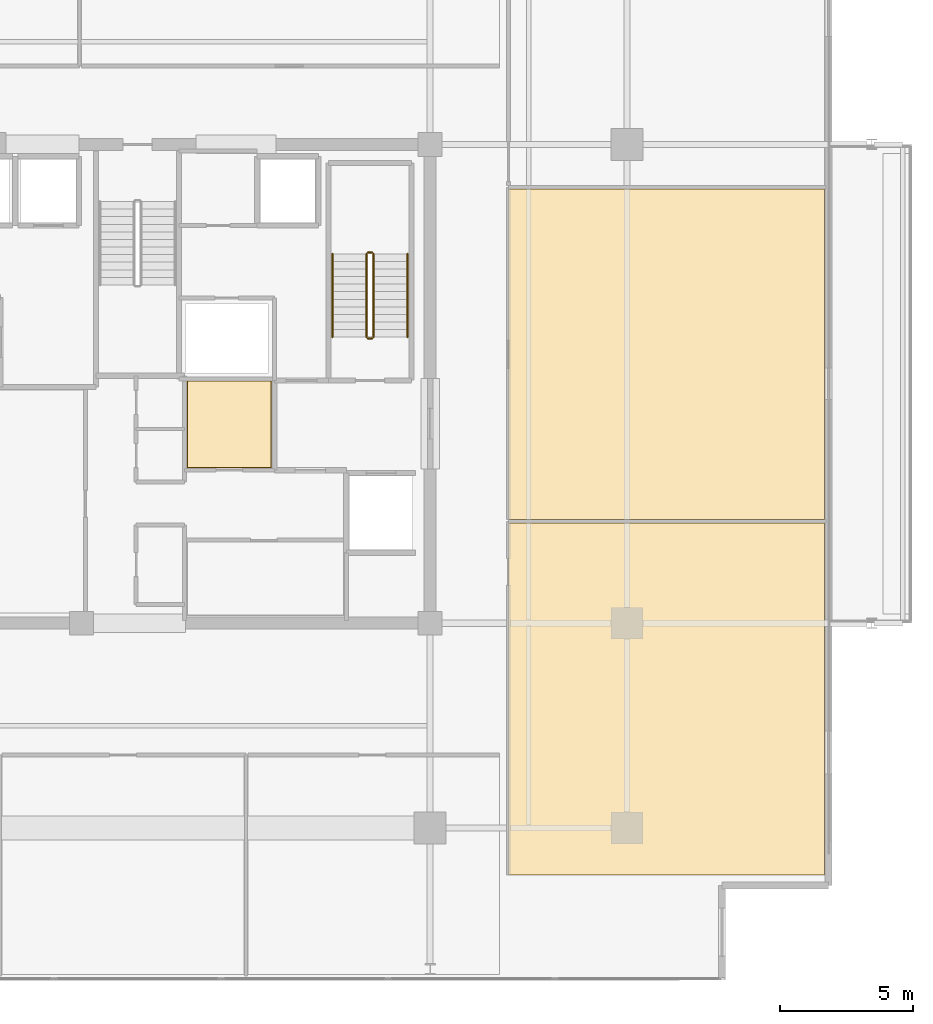
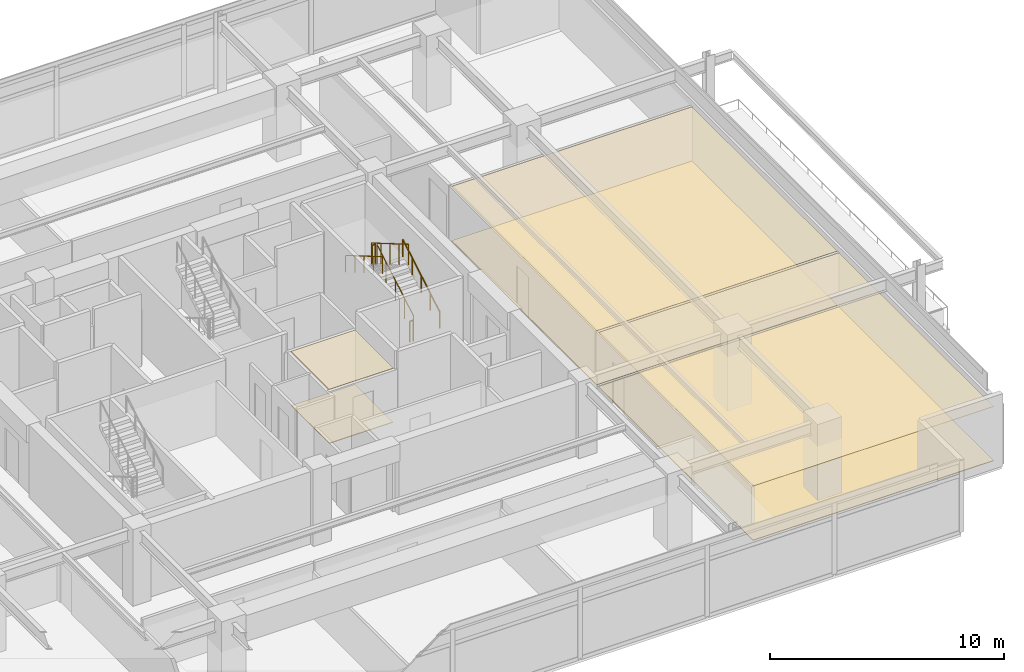
# One storey, part 20 of 21: 6 coverings, 6 railings.
"""IFC4 building model written with IfcOpenShell, lengths in metres."""

import ifcopenshell
import ifcopenshell.guid

model = None  # the IFC model being written
_history = None  # IfcOwnerHistory: only IFC2X3 demands one
_inside = {}  # id of a spatial element -> (the spatial element, [elements in it])
_under = {}  # id of a project, library or spatial element -> (it, [spatial elements below it])
_declared = {}  # id of a project -> (the project, [libraries it declares])
_typed = {}  # id of a type object -> (the type object, [elements of that type])
_made_of = {}  # id of a material, layer set ... -> (it, [elements and type objects made of it])


def new_model(schema):
    """Start an empty IFC model of exactly this schema.

    Asked for "IFC4X3", IfcOpenShell would pick the latest addendum, in which some entities
    have other attributes; the version numbers below select the first issue.
    IFC2X3 requires an IfcOwnerHistory on every rooted entity: one is made here for all.
    """
    global model, _history
    if schema == "IFC4X3":
        model = ifcopenshell.file(schema_version=(4, 3, 0, 0))
    else:
        model = ifcopenshell.file(schema=schema)
    _inside.clear()
    _under.clear()
    _declared.clear()
    _typed.clear()
    _made_of.clear()
    _history = None
    if model.schema == "IFC2X3":
        org = make("IfcOrganization", Name="unknown")
        user = make(
            "IfcPersonAndOrganization",
            ThePerson=make("IfcPerson", FamilyName="unknown"),
            TheOrganization=org,
        )
        app = make(
            "IfcApplication",
            ApplicationDeveloper=org,
            Version="unknown",
            ApplicationFullName="unknown",
            ApplicationIdentifier="unknown",
        )
        _history = make(
            "IfcOwnerHistory",
            OwningUser=user,
            OwningApplication=app,
            ChangeAction="ADDED",
            CreationDate=0,
        )
    return model


def make(cls, **values):
    """One entity of the class cls with the attributes given. An attribute that is None is left unset."""
    return model.create_entity(
        cls, **{name: value for name, value in values.items() if value is not None}
    )


def rooted(cls, **values):
    """An entity with a GlobalId (a new one), such as an element, a storey or a relation."""
    return make(cls, GlobalId=ifcopenshell.guid.new(), OwnerHistory=_history, **values)


def si_unit(unit_type, name, prefix=None):
    """IfcSIUnit, for example si_unit("LENGTHUNIT", "METRE", prefix="MILLI")."""
    return make("IfcSIUnit", UnitType=unit_type, Prefix=prefix, Name=name)


def assignment(units):
    """IfcUnitAssignment: the units of a project."""
    return None if units is None else make("IfcUnitAssignment", Units=units)


def point(xyz):
    """IfcCartesianPoint."""
    return None if xyz is None else make("IfcCartesianPoint", Coordinates=xyz)


def direction(xyz):
    """IfcDirection."""
    return None if xyz is None else make("IfcDirection", DirectionRatios=xyz)


def frame(location, z_axis=None, x_axis=None):
    """IfcAxis2Placement3D, a coordinate frame: its origin and axes. An axis left out is left unset."""
    return make(
        "IfcAxis2Placement3D",
        Location=point(location),
        Axis=direction(z_axis),
        RefDirection=direction(x_axis),
    )


def frame_2d(location, x_axis=None):
    """IfcAxis2Placement2D, a coordinate frame in the plane: its origin and x axis."""
    return make(
        "IfcAxis2Placement2D", Location=point(location), RefDirection=direction(x_axis)
    )


def origin():
    """The frame at (0, 0, 0) with its axes left unset."""
    return frame((0.0, 0.0, 0.0))


def origin_2d():
    """The frame at (0, 0) in the plane with its x axis left unset."""
    return frame_2d((0.0, 0.0))


def place(relative_to, where):
    """IfcLocalPlacement: puts the frame where relative to a parent placement (None: the world)."""
    return make(
        "IfcLocalPlacement", PlacementRelTo=relative_to, RelativePlacement=where
    )


def context(
    kind, dimensions, precision=None, world=None, true_north=None, identifier=None
):
    """IfcGeometricRepresentationContext, for example the 3D "Model" context."""
    return make(
        "IfcGeometricRepresentationContext",
        ContextIdentifier=identifier,
        ContextType=kind,
        CoordinateSpaceDimension=dimensions,
        Precision=precision,
        WorldCoordinateSystem=world,
        TrueNorth=true_north,
    )


def subcontext(parent, identifier, kind, view, scale=None):
    """IfcGeometricRepresentationSubContext, for example "Body" below "Model"."""
    return make(
        "IfcGeometricRepresentationSubContext",
        ContextIdentifier=identifier,
        ContextType=kind,
        ParentContext=parent,
        TargetScale=scale,
        TargetView=view,
    )


def project(units=None, contexts=None):
    """IfcProject with its units and contexts."""
    return rooted(
        "IfcProject",
        Name="project",
        RepresentationContexts=contexts,
        UnitsInContext=assignment(units),
    )


def spatial(cls, under=None, at=None, **own):
    """A site, building, storey or space (cls), placed at a placement, below another one or the project."""
    s = rooted(cls, ObjectPlacement=at, **own)
    if under is not None:
        _under.setdefault(under.id(), (under, []))[1].append(s)
    return s


def polyline(points):
    """IfcPolyline through the points."""
    return make("IfcPolyline", Points=[point(p) for p in points])


def profile(cls, at=None, kind="AREA", **sizes):
    """A parametric profile (cls). Its sizes go by their IFC names, for example OverallWidth=200.0."""
    return make(cls, ProfileType=kind, Position=at, **sizes)


def circle(**sizes):
    """IfcCircleProfileDef."""
    return profile("IfcCircleProfileDef", **sizes)


def outline(outer, holes=None, kind="AREA"):
    """IfcArbitraryClosedProfileDef: a profile drawn as a closed curve; with holes, ...WithVoids."""
    if holes is None:
        return make("IfcArbitraryClosedProfileDef", ProfileType=kind, OuterCurve=outer)
    return make(
        "IfcArbitraryProfileDefWithVoids",
        ProfileType=kind,
        OuterCurve=outer,
        InnerCurves=holes,
    )


def extrude(swept, where, along, depth):
    """IfcExtrudedAreaSolid: the profile swept, set in the frame where, extruded along a direction by depth."""
    return make(
        "IfcExtrudedAreaSolid",
        SweptArea=swept,
        Position=where,
        ExtrudedDirection=direction(along),
        Depth=depth,
    )


def shape(context_of_items, identifier, shape_type, items):
    """IfcShapeRepresentation: the items that make up one representation, for example the "Body"."""
    return make(
        "IfcShapeRepresentation",
        ContextOfItems=context_of_items,
        RepresentationIdentifier=identifier,
        RepresentationType=shape_type,
        Items=items,
    )


def material(Name=None, Category=None):
    """IfcMaterial."""
    return make("IfcMaterial", Name=Name, Category=Category)


def layer(
    of_material, thickness, ventilated=None, Name=None, Category=None, Priority=None
):
    """IfcMaterialLayer: one layer of a wall or slab, of a material (None: an air gap)."""
    return make(
        "IfcMaterialLayer",
        Material=of_material,
        LayerThickness=thickness,
        IsVentilated=ventilated,
        Name=Name,
        Category=Category,
        Priority=Priority,
    )


def layer_set(layers, Name=None):
    """IfcMaterialLayerSet."""
    return make("IfcMaterialLayerSet", MaterialLayers=layers, LayerSetName=Name)


def made_of(thing, what):
    """Note that an element or type object is made of a material, layer set ...; save() writes the relation."""
    if what is not None:
        _made_of.setdefault(what.id(), (what, []))[1].append(thing)
    return thing


def type_object(cls, material=None, **own):
    """A type object (cls), such as IfcWallType, which elements share."""
    return made_of(rooted(cls, **own), material)


def element(
    cls,
    number,
    at=None,
    inside=None,
    cuts=None,
    type_object=None,
    material=None,
    context=None,
    identifier="Body",
    shape_type=None,
    held_by="IfcProductDefinitionShape",
    body=None,
    shapes=None,
    **own,
):
    """One element of the class cls, such as IfcWall. Its Tag is "e" and its number.

    at: its placement. inside: the storey or other place that contains it. cuts: it is an
    opening in that element (IfcRelVoidsElement). A single representation is given by context,
    identifier, shape_type and body (its items); several are given by shapes. held_by: the class
    of the entity that holds the representations. save() writes the other relations.
    """
    e = rooted(cls, Tag="e%d" % number, ObjectPlacement=at, **own)
    if body is not None:
        shapes = [shape(context, identifier, shape_type, body)]
    if shapes is not None:
        e.Representation = make(held_by, Representations=shapes)
    if inside is not None:
        _inside.setdefault(inside.id(), (inside, []))[1].append(e)
    if cuts is not None:
        rooted(
            "IfcRelVoidsElement", RelatingBuildingElement=cuts, RelatedOpeningElement=e
        )
    if type_object is not None:
        _typed.setdefault(type_object.id(), (type_object, []))[1].append(e)
    return made_of(e, material)


def aggregate(whole, parts):
    """IfcRelAggregates: a whole, such as a stair, and the parts it consists of."""
    return rooted("IfcRelAggregates", RelatingObject=whole, RelatedObjects=parts)


def save(model, path):
    """Write the relations noted so far, then the file.

    IfcRelAggregates (storeys below a building ...), IfcRelContainedInSpatialStructure (elements
    in a storey), IfcRelDefinesByType, IfcRelAssociatesMaterial and IfcRelDeclares: one each for
    every whole, place, type object, material and project.
    """
    for whole, parts in _under.values():
        aggregate(whole, parts)
    for where, things in _inside.values():
        rooted(
            "IfcRelContainedInSpatialStructure",
            RelatedElements=things,
            RelatingStructure=where,
        )
    for kind, things in _typed.values():
        rooted("IfcRelDefinesByType", RelatedObjects=things, RelatingType=kind)
    for what, things in _made_of.values():
        rooted("IfcRelAssociatesMaterial", RelatedObjects=things, RelatingMaterial=what)
    for by, libraries in _declared.values():
        rooted("IfcRelDeclares", RelatingContext=by, RelatedDefinitions=libraries)
    model.write(path)


model = new_model("IFC4")

# Units and contexts
model_context = context("Model", 3, precision=1e-05, world=origin(), true_north=direction((0.0, 1.0)))
body_context = subcontext(model_context, "Body", "Model", "MODEL_VIEW")
ifc_project = project(units=[si_unit("LENGTHUNIT", "METRE"), si_unit("AREAUNIT", "SQUARE_METRE"), si_unit("VOLUMEUNIT", "CUBIC_METRE"), si_unit("PLANEANGLEUNIT", "RADIAN"), si_unit("MASSUNIT", "GRAM", prefix="KILO")], contexts=[model_context])

# Site, building, storey
site_placement = place(None, origin())
site = spatial("IfcSite", under=ifc_project, at=site_placement, CompositionType="ELEMENT")
building_placement = place(site_placement, origin())
building = spatial("IfcBuilding", under=site, at=building_placement, Name="Kovane Verandah Tower", CompositionType="ELEMENT")
storey_placement = place(building_placement, frame((0.0, 0.0, 275.199951171875)))
storey = spatial("IfcBuildingStorey", under=building, at=storey_placement, Name="L64", CompositionType="ELEMENT", Elevation=275.199951171875)

# Coverings
ifc_material_1 = material(Name="Perforated Acoustic Mineral-Fibre Ceiling Tile", Category="gypsum")
ifc_layer_1 = layer(ifc_material_1, 0.02490234375)
ifc_layer_set_1 = layer_set([ifc_layer_1], Name="Perforated Acoustic Mineral-Fibre Ceiling Tile")
covering_type_1 = type_object("IfcCoveringType", Name="CV-CEIL-25", PredefinedType="CEILING", material=ifc_layer_set_1)
covering_1_placement = place(storey_placement, frame((0.0, 0.0, 2.824951171875)))
element("IfcCovering", 1, at=covering_1_placement, inside=storey, type_object=covering_type_1, Name="L64 Document Archive Room Acoustic Ceiling", PredefinedType="CEILING", context=body_context, shape_type="SweptSolid", body=[
    extrude(outline(polyline([(41.864990234375, 24.3349609375), (45.034912109375, 24.3349609375), (45.034912109375, 27.614990234375), (41.864990234375, 27.614990234375), (41.864990234375, 24.3349609375)])), origin(), (0.0, 0.0, 1.0), 0.025146484375),
])
covering_2_placement = place(storey_placement, frame((0.0, 0.0, 2.824951171875)))
element("IfcCovering", 2, at=covering_2_placement, inside=storey, type_object=covering_type_1, Name="L64 Open Plan Office E1 Acoustic Ceiling", PredefinedType="CEILING", context=body_context, shape_type="SweptSolid", body=[
    extrude(outline(polyline([(53.949951171875, 9.039794921875), (65.8193359375, 9.039794921875), (65.8193359375, 22.26123046875), (53.949951171875, 22.26123046875), (53.949951171875, 9.039794921875)])), origin(), (0.0, 0.0, 1.0), 0.025146484375),
])
covering_3_placement = place(storey_placement, frame((0.0, 0.0, 2.824951171875)))
element("IfcCovering", 3, at=covering_3_placement, inside=storey, type_object=covering_type_1, Name="L64 Executive Office E2 Acoustic Ceiling", PredefinedType="CEILING", context=body_context, shape_type="SweptSolid", body=[
    extrude(outline(polyline([(53.949951171875, 22.401123046875), (65.8193359375, 22.401123046875), (65.8193359375, 34.81396484375), (53.949951171875, 34.81396484375), (53.949951171875, 22.401123046875)])), origin(), (0.0, 0.0, 1.0), 0.025146484375),
])
ifc_material_2 = material(Name="Polished Terrazzo and Raised-Access Carpet Tile Finish", Category="concrete")
ifc_layer_2 = layer(ifc_material_2, 0.030029296875)
ifc_layer_set_2 = layer_set([ifc_layer_2], Name="Polished Terrazzo and Raised-Access Carpet Tile Finish")
covering_type_2 = type_object("IfcCoveringType", Name="CV-FLOR-30", PredefinedType="FLOORING", material=ifc_layer_set_2)
covering_4_placement = place(storey_placement, origin())
element("IfcCovering", 4, at=covering_4_placement, inside=storey, type_object=covering_type_2, Name="L64 Document Archive Room Floor Finish", PredefinedType="FLOORING", context=body_context, shape_type="SweptSolid", body=[
    extrude(outline(polyline([(41.8798828125, 24.35009765625), (45.02001953125, 24.35009765625), (45.02001953125, 27.60009765625), (41.8798828125, 27.60009765625), (41.8798828125, 24.35009765625)])), origin(), (0.0, 0.0, 1.0), 0.030029296875),
])
covering_5_placement = place(storey_placement, origin())
element("IfcCovering", 5, at=covering_5_placement, inside=storey, type_object=covering_type_2, Name="L64 Open Plan Office E1 Floor Finish", PredefinedType="FLOORING", context=body_context, shape_type="SweptSolid", body=[
    extrude(outline(polyline([(53.949951171875, 9.039794921875), (65.8193359375, 9.039794921875), (65.8193359375, 22.26123046875), (53.949951171875, 22.26123046875), (53.949951171875, 9.039794921875)])), origin(), (0.0, 0.0, 1.0), 0.030029296875),
])
covering_6_placement = place(storey_placement, origin())
element("IfcCovering", 6, at=covering_6_placement, inside=storey, type_object=covering_type_2, Name="L64 Executive Office E2 Floor Finish", PredefinedType="FLOORING", context=body_context, shape_type="SweptSolid", body=[
    extrude(outline(polyline([(53.949951171875, 22.401123046875), (65.8193359375, 22.401123046875), (65.8193359375, 34.81396484375), (53.949951171875, 34.81396484375), (53.949951171875, 22.401123046875)])), origin(), (0.0, 0.0, 1.0), 0.030029296875),
])

# Railings
ifc_material_3 = material(Name="Brushed Stainless Steel Handrail", Category="steel")
railing_type_1 = type_object("IfcRailingType", Name="RL-HAND-920", PredefinedType="HANDRAIL", material=ifc_material_3)
railing_1_placement = place(storey_placement, frame((50.14990234375, 29.25, 0.166748046875)))
element("IfcRailing", 7, at=railing_1_placement, inside=storey, type_object=railing_type_1, Name="L64 ST-02 stair handrail 1", PredefinedType="HANDRAIL", context=body_context, shape_type="SweptSolid", body=[
    extrude(circle(Radius=0.02392578125, at=origin_2d()), frame((0.0, 0.0, 0.8759765625), z_axis=(0.0, 0.863239559939, 0.504794475164), x_axis=(-1.0, 0.0, 0.0)), (0.0, 0.0, 1.0), 3.631591796875),
    extrude(circle(Radius=0.02099609375, at=origin_2d()), origin(), (0.0, 0.0, 1.0), 0.851806640625),
    extrude(circle(Radius=0.02099609375, at=origin_2d()), frame((0.0, 0.78369140625, 0.458251953125)), (0.0, 0.0, 1.0), 0.851806640625),
    extrude(circle(Radius=0.02099609375, at=origin_2d()), frame((0.0, 1.5673828125, 0.91650390625)), (0.0, 0.0, 1.0), 0.851806640625),
    extrude(circle(Radius=0.02099609375, at=origin_2d()), frame((0.0, 2.351318359375, 1.375)), (0.0, 0.0, 1.0), 0.851806640625),
    extrude(circle(Radius=0.02099609375, at=origin_2d()), frame((0.0, 3.135009765625, 1.833251953125)), (0.0, 0.0, 1.0), 0.851806640625),
])
railing_2_placement = place(storey_placement, frame((47.330078125, 32.385009765625, 2.166748046875)))
element("IfcRailing", 8, at=railing_2_placement, inside=storey, type_object=railing_type_1, Name="L64 ST-02 stair handrail 2", PredefinedType="HANDRAIL", context=body_context, shape_type="SweptSolid", body=[
    extrude(circle(Radius=0.02392578125, at=origin_2d()), frame((0.0, 0.0, 0.8759765625), z_axis=(0.0, -0.863239559939, 0.504794475164), x_axis=(1.0, 0.0, 0.0)), (0.0, 0.0, 1.0), 3.631591796875),
    extrude(circle(Radius=0.02099609375, at=origin_2d()), origin(), (0.0, 0.0, 1.0), 0.851806640625),
    extrude(circle(Radius=0.02099609375, at=origin_2d()), frame((0.0, -0.78369140625, 0.458251953125)), (0.0, 0.0, 1.0), 0.851806640625),
    extrude(circle(Radius=0.02099609375, at=origin_2d()), frame((0.0, -1.5673828125, 0.91650390625)), (0.0, 0.0, 1.0), 0.851806640625),
    extrude(circle(Radius=0.02099609375, at=origin_2d()), frame((0.0, -2.351318359375, 1.375)), (0.0, 0.0, 1.0), 0.851806640625),
    extrude(circle(Radius=0.02099609375, at=origin_2d()), frame((0.0, -3.135009765625, 1.833251953125)), (0.0, 0.0, 1.0), 0.851806640625),
])
ifc_material_4 = material(Name="Painted Steel Stairwell Guardrail", Category="steel")
railing_type_2 = type_object("IfcRailingType", Name="RL-STGUARD-1120", PredefinedType="GUARDRAIL", material=ifc_material_4)
railing_3_placement = place(storey_placement, frame((48.8701171875, 29.25, 0.166748046875)))
element("IfcRailing", 9, at=railing_3_placement, inside=storey, type_object=railing_type_2, Name="L64 ST-02 stair guard 1", PredefinedType="GUARDRAIL", context=body_context, shape_type="SweptSolid", body=[
    extrude(circle(Radius=0.02392578125, at=origin_2d()), frame((0.0, 0.0, 1.076171875), z_axis=(0.0, 0.863239559939, 0.504794475164), x_axis=(-1.0, 0.0, 0.0)), (0.0, 0.0, 1.0), 3.631591796875),
    extrude(circle(Radius=0.02099609375, at=origin_2d()), origin(), (0.0, 0.0, 1.0), 1.052001953125),
    extrude(circle(Radius=0.02099609375, at=origin_2d()), frame((0.0, 0.78369140625, 0.458251953125)), (0.0, 0.0, 1.0), 1.052001953125),
    extrude(circle(Radius=0.02099609375, at=origin_2d()), frame((0.0, 1.5673828125, 0.91650390625)), (0.0, 0.0, 1.0), 1.052001953125),
    extrude(circle(Radius=0.02099609375, at=origin_2d()), frame((0.0, 2.351318359375, 1.375)), (0.0, 0.0, 1.0), 1.052001953125),
    extrude(circle(Radius=0.02099609375, at=origin_2d()), frame((0.0, 3.135009765625, 1.833251953125)), (0.0, 0.0, 1.0), 1.052001953125),
])
railing_4_placement = place(storey_placement, frame((48.820068359375, 32.43505859375, 2.0)))
element("IfcRailing", 10, at=railing_4_placement, inside=storey, type_object=railing_type_2, Name="L64 ST-02 stair guard 2", PredefinedType="GUARDRAIL", context=body_context, shape_type="SweptSolid", body=[
    extrude(circle(Radius=0.02392578125, at=origin_2d()), frame((0.0, 0.0, 1.076171875), z_axis=(-1.0, 0.0, 0.0), x_axis=(0.0, -1.0, 0.0)), (0.0, 0.0, 1.0), 0.16015625),
    extrude(circle(Radius=0.02099609375, at=origin_2d()), origin(), (0.0, 0.0, 1.0), 1.052001953125),
    extrude(circle(Radius=0.02099609375, at=origin_2d()), frame((-0.16015625, 0.0, 0.0)), (0.0, 0.0, 1.0), 1.052001953125),
])
railing_5_placement = place(storey_placement, frame((48.610107421875, 32.385009765625, 2.166748046875)))
element("IfcRailing", 11, at=railing_5_placement, inside=storey, type_object=railing_type_2, Name="L64 ST-02 stair guard 3", PredefinedType="GUARDRAIL", context=body_context, shape_type="SweptSolid", body=[
    extrude(circle(Radius=0.02392578125, at=origin_2d()), frame((0.0, 0.0, 1.076171875), z_axis=(0.0, -0.863239559939, 0.504794475164), x_axis=(1.0, 0.0, 0.0)), (0.0, 0.0, 1.0), 3.631591796875),
    extrude(circle(Radius=0.02099609375, at=origin_2d()), origin(), (0.0, 0.0, 1.0), 1.052001953125),
    extrude(circle(Radius=0.02099609375, at=origin_2d()), frame((0.0, -0.78369140625, 0.458251953125)), (0.0, 0.0, 1.0), 1.052001953125),
    extrude(circle(Radius=0.02099609375, at=origin_2d()), frame((0.0, -1.5673828125, 0.91650390625)), (0.0, 0.0, 1.0), 1.052001953125),
    extrude(circle(Radius=0.02099609375, at=origin_2d()), frame((0.0, -2.351318359375, 1.375)), (0.0, 0.0, 1.0), 1.052001953125),
    extrude(circle(Radius=0.02099609375, at=origin_2d()), frame((0.0, -3.135009765625, 1.833251953125)), (0.0, 0.0, 1.0), 1.052001953125),
])
railing_6_placement = place(storey_placement, frame((48.820068359375, 29.199951171875, 0.0)))
element("IfcRailing", 12, at=railing_6_placement, inside=storey, type_object=railing_type_2, Name="L64 ST-02 stair guard 4", PredefinedType="GUARDRAIL", context=body_context, shape_type="SweptSolid", body=[
    extrude(circle(Radius=0.02392578125, at=origin_2d()), frame((0.0, 0.0, 1.076171875), z_axis=(-1.0, 0.0, 0.0), x_axis=(0.0, -1.0, 0.0)), (0.0, 0.0, 1.0), 0.16015625),
    extrude(circle(Radius=0.02099609375, at=origin_2d()), origin(), (0.0, 0.0, 1.0), 1.052001953125),
    extrude(circle(Radius=0.02099609375, at=origin_2d()), frame((-0.16015625, 0.0, 0.0)), (0.0, 0.0, 1.0), 1.052001953125),
])

save(model, "model.ifc")
